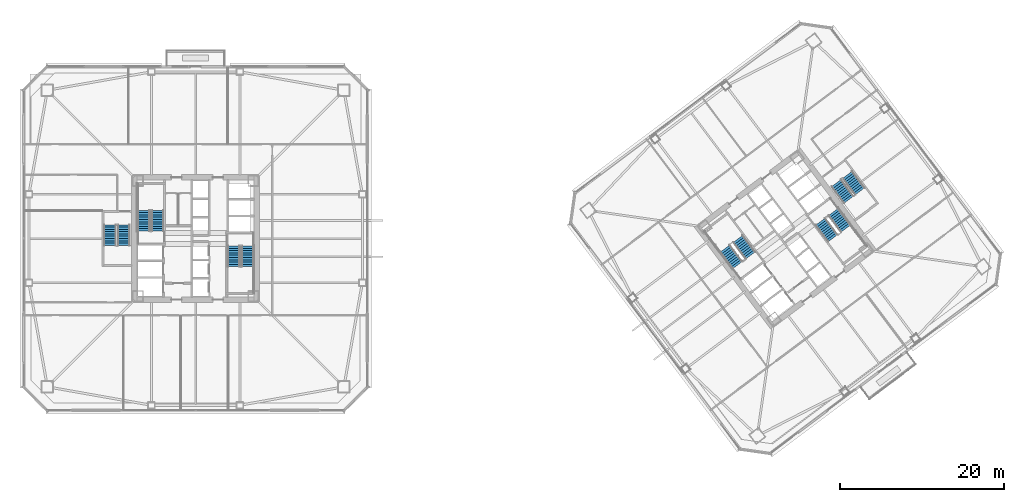
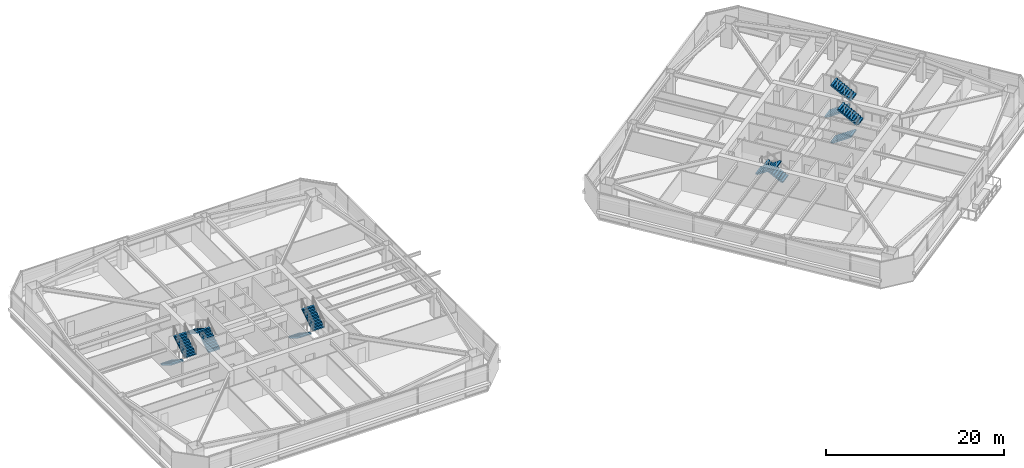
# One storey, part 40 of 47: 12 stair flights, 6 elements without a shape of their own.
"""IFC4 building model written with IfcOpenShell, lengths in metres."""

from ifc_helpers import new_model, si_unit, direction, frame, origin, place, context, subcontext, project, spatial, polyline, outline, extrude, material, type_object, element, aggregate, save


model = new_model("IFC4")

# Units and contexts
model_context = context("Model", 3, precision=1e-05, world=origin(), true_north=direction((0.0, 1.0)))
body_context = subcontext(model_context, "Body", "Model", "MODEL_VIEW")
ifc_project = project(units=[si_unit("LENGTHUNIT", "METRE"), si_unit("AREAUNIT", "SQUARE_METRE"), si_unit("VOLUMEUNIT", "CUBIC_METRE"), si_unit("PLANEANGLEUNIT", "RADIAN"), si_unit("MASSUNIT", "GRAM", prefix="KILO")], contexts=[model_context])

# Site, building, storey
site_placement = place(None, origin())
site = spatial("IfcSite", under=ifc_project, at=site_placement, CompositionType="ELEMENT")
building_placement = place(site_placement, origin())
building = spatial("IfcBuilding", under=site, at=building_placement, Name="Tashvorn Skyway Center", CompositionType="ELEMENT")
storey_placement = place(building_placement, frame((0.0, 0.0, 81.39990234375)))
storey = spatial("IfcBuildingStorey", under=building, at=storey_placement, Name="L21", CompositionType="ELEMENT", Elevation=81.39990234375)

# Stair, stair flights
ifc_material = material(Name="Concrete C40/50", Category="concrete")
stair_type = type_object("IfcStairType", Name="STAIR-CORE-1500", PredefinedType="HALF_TURN_STAIR", material=ifc_material)
stair_1_placement = place(storey_placement, origin())
stair_1 = element("IfcStair", 1, at=stair_1_placement, inside=storey, type_object=stair_type, Name="L21 Tower 1 Exit Stair 1", PredefinedType="HALF_TURN_STAIR")
stair_flight_type = type_object("IfcStairFlightType", Name="SFLIGHT-1500", PredefinedType="STRAIGHT", material=ifc_material)
stair_flight_1_placement = place(storey_placement, frame((37.35009765625, 32.919921875, 0.0), z_axis=(0.0, 0.0, 1.0), x_axis=(0.0, 1.0, 0.0)))
stair_flight_1 = element("IfcStairFlight", 2, at=stair_flight_1_placement, type_object=stair_flight_type, Name="ST-T1-1 flight 1", NumberOfRisers=10, NumberOfTreads=9, PredefinedType="STRAIGHT", RiserHeight=0.1775, TreadLength=0.28, context=body_context, shape_type="SweptSolid", body=[
    extrude(outline(polyline([(0.0, 0.0), (0.0, 0.177490234375), (0.280029296875, 0.177490234375), (0.280029296875, 0.35498046875), (0.56005859375, 0.35498046875), (0.56005859375, 0.532470703125), (0.840087890625, 0.532470703125), (0.840087890625, 0.7099609375), (1.1201171875, 0.7099609375), (1.1201171875, 0.887451171875), (1.39990234375, 0.887451171875), (1.39990234375, 1.06494140625), (1.679931640625, 1.06494140625), (1.679931640625, 1.242431640625), (1.9599609375, 1.242431640625), (1.9599609375, 1.419921875), (2.239990234375, 1.419921875), (2.239990234375, 1.597412109375), (2.52001953125, 1.597412109375), (2.52001953125, 1.77490234375), (2.52001953125, 1.419921875), (0.280029296875, 0.0), (0.0, 0.0)])), frame((0.0, 0.75, 0.0), z_axis=(0.0, -1.0, 0.0), x_axis=(1.0, 0.0, 0.0)), (0.0, 0.0, 1.0), 1.5),
])
stair_flight_2_placement = place(storey_placement, frame((35.64990234375, 35.43994140625, 1.775146484375), z_axis=(0.0, 0.0, 1.0), x_axis=(0.0, -1.0, 0.0)))
stair_flight_2 = element("IfcStairFlight", 3, at=stair_flight_2_placement, type_object=stair_flight_type, Name="ST-T1-1 flight 2", NumberOfRisers=10, NumberOfTreads=9, PredefinedType="STRAIGHT", RiserHeight=0.1775, TreadLength=0.28, context=body_context, shape_type="SweptSolid", body=[
    extrude(outline(polyline([(0.0, 0.0), (0.0, 0.177490234375), (0.280029296875, 0.177490234375), (0.280029296875, 0.35498046875), (0.56005859375, 0.35498046875), (0.56005859375, 0.532470703125), (0.840087890625, 0.532470703125), (0.840087890625, 0.7099609375), (1.1201171875, 0.7099609375), (1.1201171875, 0.887451171875), (1.39990234375, 0.887451171875), (1.39990234375, 1.06494140625), (1.679931640625, 1.06494140625), (1.679931640625, 1.242431640625), (1.9599609375, 1.242431640625), (1.9599609375, 1.419921875), (2.239990234375, 1.419921875), (2.239990234375, 1.597412109375), (2.52001953125, 1.597412109375), (2.52001953125, 1.77490234375), (2.52001953125, 1.419921875), (0.280029296875, 0.0), (0.0, 0.0)])), frame((0.0, 0.75, 0.0), z_axis=(0.0, -1.0, 0.0), x_axis=(1.0, 0.0, 0.0)), (0.0, 0.0, 1.0), 1.5),
])
aggregate(stair_1, [stair_flight_1, stair_flight_2])

stair_2_placement = place(storey_placement, origin())
stair_2 = element("IfcStair", 4, at=stair_2_placement, inside=storey, type_object=stair_type, Name="L21 Tower 1 Exit Stair 2", PredefinedType="HALF_TURN_STAIR")
stair_flight_3_placement = place(storey_placement, frame((46.64990234375, 31.080078125, 0.0), z_axis=(0.0, 0.0, 1.0), x_axis=(0.0, -1.0, 0.0)))
stair_flight_3 = element("IfcStairFlight", 5, at=stair_flight_3_placement, type_object=stair_flight_type, Name="ST-T1-2 flight 1", NumberOfRisers=10, NumberOfTreads=9, PredefinedType="STRAIGHT", RiserHeight=0.1775, TreadLength=0.28, context=body_context, shape_type="SweptSolid", body=[
    extrude(outline(polyline([(0.0, 0.0), (0.0, 0.177490234375), (0.280029296875, 0.177490234375), (0.280029296875, 0.35498046875), (0.56005859375, 0.35498046875), (0.56005859375, 0.532470703125), (0.840087890625, 0.532470703125), (0.840087890625, 0.7099609375), (1.1201171875, 0.7099609375), (1.1201171875, 0.887451171875), (1.39990234375, 0.887451171875), (1.39990234375, 1.06494140625), (1.679931640625, 1.06494140625), (1.679931640625, 1.242431640625), (1.9599609375, 1.242431640625), (1.9599609375, 1.419921875), (2.239990234375, 1.419921875), (2.239990234375, 1.597412109375), (2.52001953125, 1.597412109375), (2.52001953125, 1.77490234375), (2.52001953125, 1.419921875), (0.280029296875, 0.0), (0.0, 0.0)])), frame((0.0, 0.75, 0.0), z_axis=(0.0, -1.0, 0.0), x_axis=(1.0, 0.0, 0.0)), (0.0, 0.0, 1.0), 1.5),
])
stair_flight_4_placement = place(storey_placement, frame((48.35009765625, 28.56005859375, 1.775146484375), z_axis=(0.0, 0.0, 1.0), x_axis=(0.0, 1.0, 0.0)))
stair_flight_4 = element("IfcStairFlight", 6, at=stair_flight_4_placement, type_object=stair_flight_type, Name="ST-T1-2 flight 2", NumberOfRisers=10, NumberOfTreads=9, PredefinedType="STRAIGHT", RiserHeight=0.1775, TreadLength=0.28, context=body_context, shape_type="SweptSolid", body=[
    extrude(outline(polyline([(0.0, 0.0), (0.0, 0.177490234375), (0.280029296875, 0.177490234375), (0.280029296875, 0.35498046875), (0.56005859375, 0.35498046875), (0.56005859375, 0.532470703125), (0.840087890625, 0.532470703125), (0.840087890625, 0.7099609375), (1.1201171875, 0.7099609375), (1.1201171875, 0.887451171875), (1.39990234375, 0.887451171875), (1.39990234375, 1.06494140625), (1.679931640625, 1.06494140625), (1.679931640625, 1.242431640625), (1.9599609375, 1.242431640625), (1.9599609375, 1.419921875), (2.239990234375, 1.419921875), (2.239990234375, 1.597412109375), (2.52001953125, 1.597412109375), (2.52001953125, 1.77490234375), (2.52001953125, 1.419921875), (0.280029296875, 0.0), (0.0, 0.0)])), frame((0.0, 0.75, 0.0), z_axis=(0.0, -1.0, 0.0), x_axis=(1.0, 0.0, 0.0)), (0.0, 0.0, 1.0), 1.5),
])
aggregate(stair_2, [stair_flight_3, stair_flight_4])

stair_3_placement = place(storey_placement, origin())
stair_3 = element("IfcStair", 7, at=stair_3_placement, inside=storey, type_object=stair_type, Name="L21 Tower 2 Exit Stair 1", PredefinedType="HALF_TURN_STAIR")
stair_flight_5_placement = place(storey_placement, frame((109.72802734375, 29.946044921875, 0.0), z_axis=(0.0, 0.0, 1.0), x_axis=(-0.600000004945, 0.799999996291, 0.0)))
stair_flight_5 = element("IfcStairFlight", 8, at=stair_flight_5_placement, type_object=stair_flight_type, Name="ST-T2-1 flight 1", NumberOfRisers=10, NumberOfTreads=9, PredefinedType="STRAIGHT", RiserHeight=0.1775, TreadLength=0.28, context=body_context, shape_type="SweptSolid", body=[
    extrude(outline(polyline([(0.0, 0.0), (0.0, 0.177490234375), (0.280029296875, 0.177490234375), (0.280029296875, 0.35498046875), (0.56005859375, 0.35498046875), (0.56005859375, 0.532470703125), (0.840087890625, 0.532470703125), (0.840087890625, 0.7099609375), (1.1201171875, 0.7099609375), (1.1201171875, 0.887451171875), (1.39990234375, 0.887451171875), (1.39990234375, 1.06494140625), (1.679931640625, 1.06494140625), (1.679931640625, 1.242431640625), (1.9599609375, 1.242431640625), (1.9599609375, 1.419921875), (2.239990234375, 1.419921875), (2.239990234375, 1.597412109375), (2.52001953125, 1.597412109375), (2.52001953125, 1.77490234375), (2.52001953125, 1.419921875), (0.280029296875, 0.0), (0.0, 0.0)])), frame((0.0, 0.75, 0.0), z_axis=(0.0, -1.0, 0.0), x_axis=(1.0, 0.0, 0.0)), (0.0, 0.0, 1.0), 1.5),
])
stair_flight_6_placement = place(storey_placement, frame((106.632080078125, 30.77392578125, 1.775146484375), z_axis=(0.0, 0.0, 1.0), x_axis=(0.600000004945, -0.799999996291, 0.0)))
stair_flight_6 = element("IfcStairFlight", 9, at=stair_flight_6_placement, type_object=stair_flight_type, Name="ST-T2-1 flight 2", NumberOfRisers=10, NumberOfTreads=9, PredefinedType="STRAIGHT", RiserHeight=0.1775, TreadLength=0.28, context=body_context, shape_type="SweptSolid", body=[
    extrude(outline(polyline([(0.0, 0.0), (0.0, 0.177490234375), (0.280029296875, 0.177490234375), (0.280029296875, 0.35498046875), (0.56005859375, 0.35498046875), (0.56005859375, 0.532470703125), (0.840087890625, 0.532470703125), (0.840087890625, 0.7099609375), (1.1201171875, 0.7099609375), (1.1201171875, 0.887451171875), (1.39990234375, 0.887451171875), (1.39990234375, 1.06494140625), (1.679931640625, 1.06494140625), (1.679931640625, 1.242431640625), (1.9599609375, 1.242431640625), (1.9599609375, 1.419921875), (2.239990234375, 1.419921875), (2.239990234375, 1.597412109375), (2.52001953125, 1.597412109375), (2.52001953125, 1.77490234375), (2.52001953125, 1.419921875), (0.280029296875, 0.0), (0.0, 0.0)])), frame((0.0, 0.75, 0.0), z_axis=(0.0, -1.0, 0.0), x_axis=(1.0, 0.0, 0.0)), (0.0, 0.0, 1.0), 1.5),
])
aggregate(stair_3, [stair_flight_5, stair_flight_6])

stair_4_placement = place(storey_placement, origin())
stair_4 = element("IfcStair", 10, at=stair_4_placement, inside=storey, type_object=stair_type, Name="L21 Tower 2 Exit Stair 2", PredefinedType="HALF_TURN_STAIR")
stair_flight_7_placement = place(storey_placement, frame((118.27197265625, 34.053955078125, 0.0), z_axis=(0.0, 0.0, 1.0), x_axis=(0.600000004945, -0.799999996291, 0.0)))
stair_flight_7 = element("IfcStairFlight", 11, at=stair_flight_7_placement, type_object=stair_flight_type, Name="ST-T2-2 flight 1", NumberOfRisers=10, NumberOfTreads=9, PredefinedType="STRAIGHT", RiserHeight=0.1775, TreadLength=0.28, context=body_context, shape_type="SweptSolid", body=[
    extrude(outline(polyline([(0.0, 0.0), (0.0, 0.177490234375), (0.280029296875, 0.177490234375), (0.280029296875, 0.35498046875), (0.56005859375, 0.35498046875), (0.56005859375, 0.532470703125), (0.840087890625, 0.532470703125), (0.840087890625, 0.7099609375), (1.1201171875, 0.7099609375), (1.1201171875, 0.887451171875), (1.39990234375, 0.887451171875), (1.39990234375, 1.06494140625), (1.679931640625, 1.06494140625), (1.679931640625, 1.242431640625), (1.9599609375, 1.242431640625), (1.9599609375, 1.419921875), (2.239990234375, 1.419921875), (2.239990234375, 1.597412109375), (2.52001953125, 1.597412109375), (2.52001953125, 1.77490234375), (2.52001953125, 1.419921875), (0.280029296875, 0.0), (0.0, 0.0)])), frame((0.0, 0.75, 0.0), z_axis=(0.0, -1.0, 0.0), x_axis=(1.0, 0.0, 0.0)), (0.0, 0.0, 1.0), 1.5),
])
stair_flight_8_placement = place(storey_placement, frame((121.367919921875, 33.22607421875, 1.775146484375), z_axis=(0.0, 0.0, 1.0), x_axis=(-0.600000004945, 0.799999996291, 0.0)))
stair_flight_8 = element("IfcStairFlight", 12, at=stair_flight_8_placement, type_object=stair_flight_type, Name="ST-T2-2 flight 2", NumberOfRisers=10, NumberOfTreads=9, PredefinedType="STRAIGHT", RiserHeight=0.1775, TreadLength=0.28, context=body_context, shape_type="SweptSolid", body=[
    extrude(outline(polyline([(0.0, 0.0), (0.0, 0.177490234375), (0.280029296875, 0.177490234375), (0.280029296875, 0.35498046875), (0.56005859375, 0.35498046875), (0.56005859375, 0.532470703125), (0.840087890625, 0.532470703125), (0.840087890625, 0.7099609375), (1.1201171875, 0.7099609375), (1.1201171875, 0.887451171875), (1.39990234375, 0.887451171875), (1.39990234375, 1.06494140625), (1.679931640625, 1.06494140625), (1.679931640625, 1.242431640625), (1.9599609375, 1.242431640625), (1.9599609375, 1.419921875), (2.239990234375, 1.419921875), (2.239990234375, 1.597412109375), (2.52001953125, 1.597412109375), (2.52001953125, 1.77490234375), (2.52001953125, 1.419921875), (0.280029296875, 0.0), (0.0, 0.0)])), frame((0.0, 0.75, 0.0), z_axis=(0.0, -1.0, 0.0), x_axis=(1.0, 0.0, 0.0)), (0.0, 0.0, 1.0), 1.5),
])
aggregate(stair_4, [stair_flight_7, stair_flight_8])

stair_5_placement = place(storey_placement, origin())
stair_5 = element("IfcStair", 13, at=stair_5_placement, inside=storey, type_object=stair_type, Name="L21 Tower 1 Exit Stair 3", PredefinedType="HALF_TURN_STAIR")
stair_flight_9_placement = place(storey_placement, frame((31.550048828125, 33.679931640625, 0.0), z_axis=(0.0, 0.0, 1.0), x_axis=(0.0, -1.0, 0.0)))
stair_flight_9 = element("IfcStairFlight", 14, at=stair_flight_9_placement, type_object=stair_flight_type, Name="ST-T1-3 flight 1", NumberOfRisers=10, NumberOfTreads=9, PredefinedType="STRAIGHT", RiserHeight=0.1775, TreadLength=0.28, context=body_context, shape_type="SweptSolid", body=[
    extrude(outline(polyline([(0.0, 0.0), (0.0, 0.177490234375), (0.280029296875, 0.177490234375), (0.280029296875, 0.35498046875), (0.56005859375, 0.35498046875), (0.56005859375, 0.532470703125), (0.840087890625, 0.532470703125), (0.840087890625, 0.7099609375), (1.1201171875, 0.7099609375), (1.1201171875, 0.887451171875), (1.39990234375, 0.887451171875), (1.39990234375, 1.06494140625), (1.679931640625, 1.06494140625), (1.679931640625, 1.242431640625), (1.9599609375, 1.242431640625), (1.9599609375, 1.419921875), (2.239990234375, 1.419921875), (2.239990234375, 1.597412109375), (2.52001953125, 1.597412109375), (2.52001953125, 1.77490234375), (2.52001953125, 1.419921875), (0.280029296875, 0.0), (0.0, 0.0)])), frame((0.0, 0.75, 0.0), z_axis=(0.0, -1.0, 0.0), x_axis=(1.0, 0.0, 0.0)), (0.0, 0.0, 1.0), 1.5),
])
stair_flight_10_placement = place(storey_placement, frame((33.25, 31.159912109375, 1.775146484375), z_axis=(0.0, 0.0, 1.0), x_axis=(0.0, 1.0, 0.0)))
stair_flight_10 = element("IfcStairFlight", 15, at=stair_flight_10_placement, type_object=stair_flight_type, Name="ST-T1-3 flight 2", NumberOfRisers=10, NumberOfTreads=9, PredefinedType="STRAIGHT", RiserHeight=0.1775, TreadLength=0.28, context=body_context, shape_type="SweptSolid", body=[
    extrude(outline(polyline([(0.0, 0.0), (0.0, 0.177490234375), (0.280029296875, 0.177490234375), (0.280029296875, 0.35498046875), (0.56005859375, 0.35498046875), (0.56005859375, 0.532470703125), (0.840087890625, 0.532470703125), (0.840087890625, 0.7099609375), (1.1201171875, 0.7099609375), (1.1201171875, 0.887451171875), (1.39990234375, 0.887451171875), (1.39990234375, 1.06494140625), (1.679931640625, 1.06494140625), (1.679931640625, 1.242431640625), (1.9599609375, 1.242431640625), (1.9599609375, 1.419921875), (2.239990234375, 1.419921875), (2.239990234375, 1.597412109375), (2.52001953125, 1.597412109375), (2.52001953125, 1.77490234375), (2.52001953125, 1.419921875), (0.280029296875, 0.0), (0.0, 0.0)])), frame((0.0, 0.75, 0.0), z_axis=(0.0, -1.0, 0.0), x_axis=(1.0, 0.0, 0.0)), (0.0, 0.0, 1.0), 1.5),
])
aggregate(stair_5, [stair_flight_9, stair_flight_10])

stair_6_placement = place(storey_placement, origin())
stair_6 = element("IfcStair", 16, at=stair_6_placement, inside=storey, type_object=stair_type, Name="L21 Tower 2 Exit Stair 3", PredefinedType="HALF_TURN_STAIR")
stair_flight_11_placement = place(storey_placement, frame((120.216064453125, 38.761962890625, 0.0), z_axis=(0.0, 0.0, 1.0), x_axis=(0.600000004945, -0.799999996291, 0.0)))
stair_flight_11 = element("IfcStairFlight", 17, at=stair_flight_11_placement, type_object=stair_flight_type, Name="ST-T2-3 flight 1", NumberOfRisers=10, NumberOfTreads=9, PredefinedType="STRAIGHT", RiserHeight=0.1775, TreadLength=0.28, context=body_context, shape_type="SweptSolid", body=[
    extrude(outline(polyline([(0.0, 0.0), (0.0, 0.177490234375), (0.280029296875, 0.177490234375), (0.280029296875, 0.35498046875), (0.56005859375, 0.35498046875), (0.56005859375, 0.532470703125), (0.840087890625, 0.532470703125), (0.840087890625, 0.7099609375), (1.1201171875, 0.7099609375), (1.1201171875, 0.887451171875), (1.39990234375, 0.887451171875), (1.39990234375, 1.06494140625), (1.679931640625, 1.06494140625), (1.679931640625, 1.242431640625), (1.9599609375, 1.242431640625), (1.9599609375, 1.419921875), (2.239990234375, 1.419921875), (2.239990234375, 1.597412109375), (2.52001953125, 1.597412109375), (2.52001953125, 1.77490234375), (2.52001953125, 1.419921875), (0.280029296875, 0.0), (0.0, 0.0)])), frame((0.0, 0.75, 0.0), z_axis=(0.0, -1.0, 0.0), x_axis=(1.0, 0.0, 0.0)), (0.0, 0.0, 1.0), 1.5),
])
stair_flight_12_placement = place(storey_placement, frame((123.087890625, 37.76611328125, 1.775146484375), z_axis=(0.0, 0.0, 1.0), x_axis=(-0.600000004945, 0.799999996291, 0.0)))
stair_flight_12 = element("IfcStairFlight", 18, at=stair_flight_12_placement, type_object=stair_flight_type, Name="ST-T2-3 flight 2", NumberOfRisers=10, NumberOfTreads=9, PredefinedType="STRAIGHT", RiserHeight=0.1775, TreadLength=0.28, context=body_context, shape_type="SweptSolid", body=[
    extrude(outline(polyline([(0.0, 0.0), (0.0, 0.177490234375), (0.280029296875, 0.177490234375), (0.280029296875, 0.35498046875), (0.56005859375, 0.35498046875), (0.56005859375, 0.532470703125), (0.840087890625, 0.532470703125), (0.840087890625, 0.7099609375), (1.1201171875, 0.7099609375), (1.1201171875, 0.887451171875), (1.39990234375, 0.887451171875), (1.39990234375, 1.06494140625), (1.679931640625, 1.06494140625), (1.679931640625, 1.242431640625), (1.9599609375, 1.242431640625), (1.9599609375, 1.419921875), (2.239990234375, 1.419921875), (2.239990234375, 1.597412109375), (2.52001953125, 1.597412109375), (2.52001953125, 1.77490234375), (2.52001953125, 1.419921875), (0.280029296875, 0.0), (0.0, 0.0)])), frame((0.0, 0.75, 0.0), z_axis=(0.0, -1.0, 0.0), x_axis=(1.0, 0.0, 0.0)), (0.0, 0.0, 1.0), 1.5),
])
aggregate(stair_6, [stair_flight_11, stair_flight_12])

save(model, "model.ifc")
